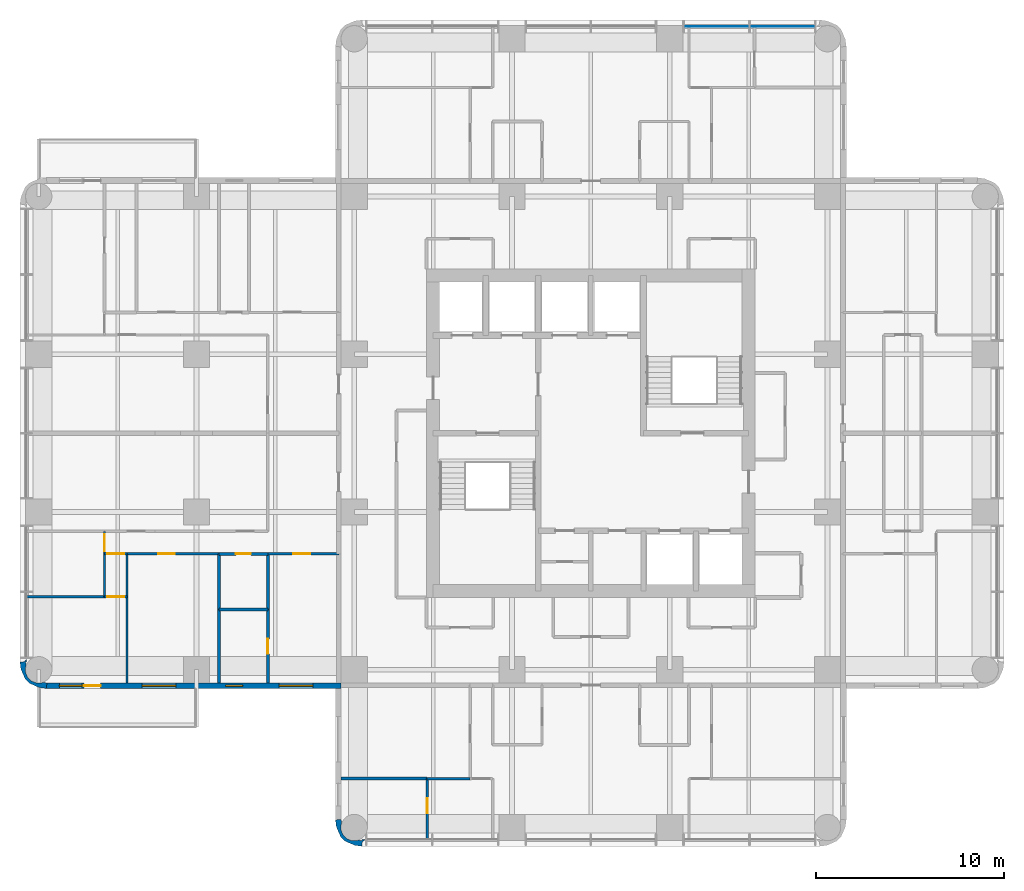
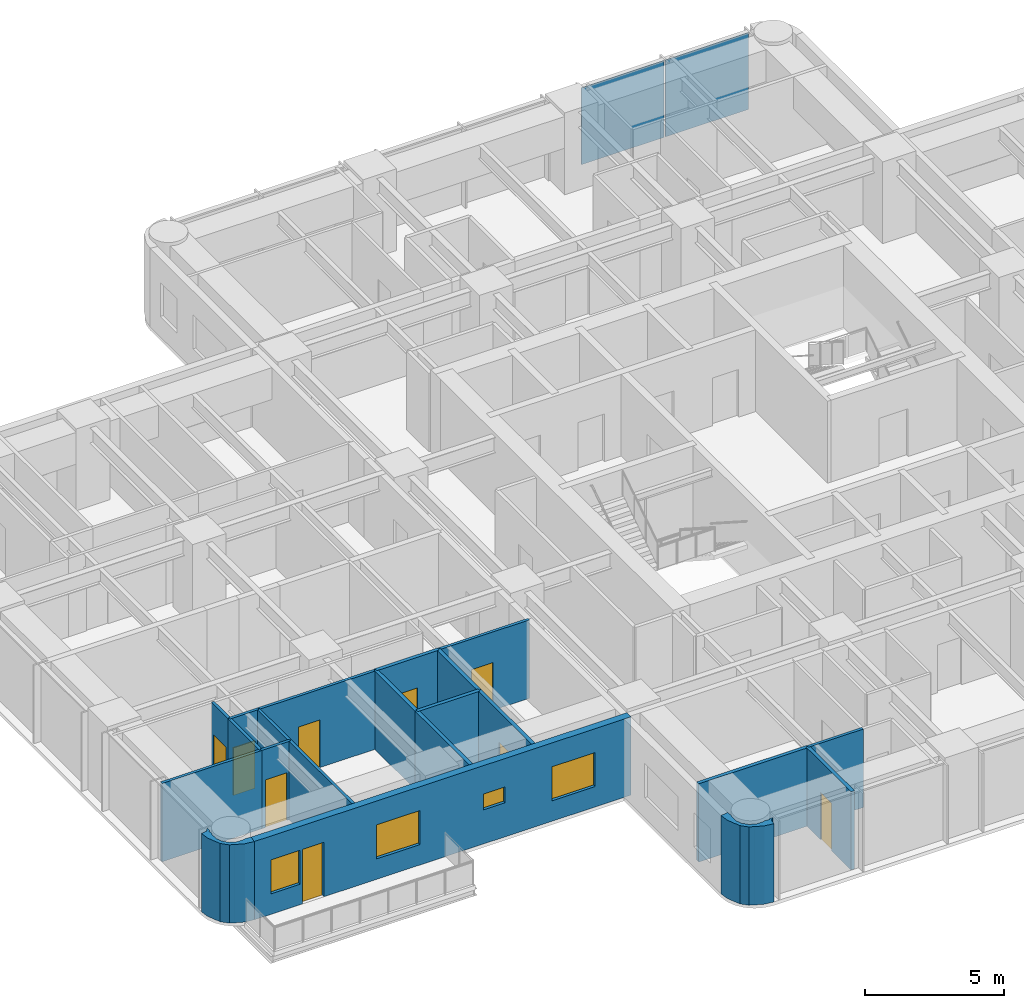
# One storey, part 4 of 11: 21 walls, 9 doors, 4 windows, 2 plates, 13 openings, 1 element without a shape of its own.
"""IFC4 building model written with IfcOpenShell, lengths in metres."""

from ifc_helpers import new_model, si_unit, direction, frame, frame_2d, origin, origin_2d, place, context, subcontext, project, spatial, polyline, rectangle, outline, extrude, material, layer, layer_set, type_object, element, fill, aggregate, save


model = new_model("IFC4")

# Units and contexts
model_context = context("Model", 3, precision=1e-05, world=origin(), true_north=direction((0.0, 1.0)))
body_context = subcontext(model_context, "Body", "Model", "MODEL_VIEW")
ifc_project = project(units=[si_unit("LENGTHUNIT", "METRE"), si_unit("AREAUNIT", "SQUARE_METRE"), si_unit("VOLUMEUNIT", "CUBIC_METRE"), si_unit("PLANEANGLEUNIT", "RADIAN"), si_unit("MASSUNIT", "GRAM", prefix="KILO")], contexts=[model_context])

# Site, building, storey
site_placement = place(None, origin())
site = spatial("IfcSite", under=ifc_project, at=site_placement, CompositionType="ELEMENT")
building_placement = place(site_placement, origin())
building = spatial("IfcBuilding", under=site, at=building_placement, Name="Torre Alcanfor", CompositionType="ELEMENT")
storey_placement = place(building_placement, frame((0.0, 0.0, 190.5)))
storey = spatial("IfcBuildingStorey", under=building, at=storey_placement, Name="L49", CompositionType="ELEMENT", Elevation=190.5)

# Curtain wall, plates
ifc_material_1 = material(Name="Aluminium and glass", Category="aluminium")
curtain_wall_type = type_object("IfcCurtainWallType", Name="CW-A unitised apartment glazing with vertical FIN", PredefinedType="NOTDEFINED", material=ifc_material_1)
curtain_wall_placement = place(storey_placement, origin())
curtain_wall = element("IfcCurtainWall", 1, at=curtain_wall_placement, inside=storey, type_object=curtain_wall_type, Name="Curtain wall CW-A L49 11", PredefinedType="NOTDEFINED")
ifc_material_2 = material(Name="Glass", Category="glass")
ifc_layer_1 = layer(ifc_material_2, 0.028076171875)
ifc_layer_set_1 = layer_set([ifc_layer_1], Name="CW-A clear double glazed unit")
plate_type = type_object("IfcPlateType", Name="CW-A clear double glazed unit", PredefinedType="CURTAIN_PANEL", material=ifc_layer_set_1)
plate_1_placement = place(storey_placement, frame((39.60107421875, 51.050048828125, 0.0), z_axis=(0.0, 0.0, 1.0), x_axis=(-1.0, 0.0, 0.0)))
plate_1 = element("IfcPlate", 2, at=plate_1_placement, type_object=plate_type, Name="CW-A panel 1.1.1", PredefinedType="CURTAIN_PANEL", context=body_context, shape_type="SweptSolid", body=[
    extrude(rectangle(XDim=3.444091796875, YDim=0.028076171875, at=origin_2d()), origin(), (0.0, 0.0, 1.0), 3.385009765625),
])
plate_2_placement = place(storey_placement, frame((36.092041015625, 51.050048828125, 0.0), z_axis=(0.0, 0.0, 1.0), x_axis=(-1.0, 0.0, 0.0)))
plate_2 = element("IfcPlate", 3, at=plate_2_placement, type_object=plate_type, Name="CW-A panel 1.2.1", PredefinedType="CURTAIN_PANEL", context=body_context, shape_type="SweptSolid", body=[
    extrude(rectangle(XDim=3.444091796875, YDim=0.028076171875, at=origin_2d()), origin(), (0.0, 0.0, 1.0), 3.385009765625),
])
aggregate(curtain_wall, [plate_1, plate_2])

# Wall
ifc_material_3 = material(Name="Gypsum board on steel studs", Category="steel")
ifc_layer_2 = layer(ifc_material_3, 0.1201171875)
ifc_layer_set_2 = layer_set([ifc_layer_2], Name="Apartment partition 120")
wall_type_1 = type_object("IfcWallType", Name="Apartment partition 120", PredefinedType="PARTITIONING", material=ifc_layer_set_2)
wall_1_placement = place(storey_placement, frame((20.68603515625, 11.0, 0.0), z_axis=(0.0, 0.0, 1.0), x_axis=(1.0, 0.0, 0.0)))
element("IfcWall", 4, at=wall_1_placement, inside=storey, type_object=wall_type_1, Name="Partition L49-SX-BED3 / L49-SX-BED1", PredefinedType="PARTITIONING", context=body_context, shape_type="SweptSolid", body=[
    extrude(rectangle(XDim=2.284912109375, YDim=0.1201171875, at=frame_2d((1.142578125, 0.0))), origin(), (0.0, 0.0, 1.0), 3.449951171875),
])

# Wall, opening, door
wall_2_placement = place(storey_placement, frame((12.199951171875, 22.970947265625, 0.0), z_axis=(0.0, 0.0, 1.0), x_axis=(1.0, 0.0, 0.0)))
wall_2 = element("IfcWall", 5, at=wall_2_placement, inside=storey, type_object=wall_type_1, Name="Partition L49-W1-HALL / L49-W1-SERV", PredefinedType="PARTITIONING", context=body_context, shape_type="SweptSolid", body=[
    extrude(rectangle(XDim=3.775146484375, YDim=0.1201171875, at=frame_2d((1.8876953125, 0.0))), origin(), (0.0, 0.0, 1.0), 3.449951171875),
])
opening_1_placement = place(wall_2_placement, frame((1.35009765625, 0.0, 0.0)))
opening_1 = element("IfcOpeningElement", 6, at=opening_1_placement, cuts=wall_2, Name="Opening D-R1", PredefinedType="OPENING", context=body_context, shape_type="SweptSolid", body=[
    extrude(rectangle(XDim=0.89990234375, YDim=2.10009765625, at=frame_2d((0.449951171875, 1.050048828125))), frame((0.0, 0.070068359375, 0.0), z_axis=(0.0, -1.0, 0.0), x_axis=(1.0, 0.0, 0.0)), (0.0, 0.0, 1.0), 0.14013671875),
])
ifc_material_4 = material(Name="Timber", Category="wood")
door_type_1 = type_object("IfcDoorType", Name="Internal door 900x2100", OperationType="SINGLE_SWING_LEFT", PredefinedType="DOOR", material=ifc_material_4)
door_1_placement = place(opening_1_placement, frame((0.89990234375, 0.0, 0.0), z_axis=(0.0, 0.0, 1.0), x_axis=(-1.0, 0.0, 0.0)))
door_1 = element("IfcDoor", 7, at=door_1_placement, inside=storey, type_object=door_type_1, Name="Door L49-W1 serv", OperationType="SINGLE_SWING_RIGHT", OverallHeight=2.10009765625, OverallWidth=0.89990234375, PredefinedType="DOOR", context=body_context, shape_type="SweptSolid", body=[
    extrude(rectangle(XDim=0.89990234375, YDim=2.10009765625, at=frame_2d((0.449951171875, 1.050048828125))), frame((0.0, 0.025146484375, 0.0), z_axis=(0.0, -1.0, 0.0), x_axis=(1.0, 0.0, 0.0)), (0.0, 0.0, 1.0), 0.050048828125),
])
fill(opening_1, door_1)

wall_3_placement = place(storey_placement, frame((4.699951171875, 22.970947265625, 0.0), z_axis=(0.0, 0.0, 1.0), x_axis=(1.0, 0.0, 0.0)))
wall_3 = element("IfcWall", 8, at=wall_3_placement, inside=storey, type_object=wall_type_1, Name="Partition L49-W1-HALL / L49-W1-BED3", PredefinedType="PARTITIONING", context=body_context, shape_type="SweptSolid", body=[
    extrude(rectangle(XDim=4.900146484375, YDim=0.1201171875, at=frame_2d((2.4501953125, 0.0))), origin(), (0.0, 0.0, 1.0), 3.449951171875),
])
opening_2_placement = place(wall_3_placement, frame((1.64990234375, 0.0, 0.0)))
opening_2 = element("IfcOpeningElement", 9, at=opening_2_placement, cuts=wall_3, Name="Opening D-R1", PredefinedType="OPENING", context=body_context, shape_type="SweptSolid", body=[
    extrude(rectangle(XDim=0.89990234375, YDim=2.10009765625, at=frame_2d((0.449951171875, 1.050048828125))), frame((0.0, 0.070068359375, 0.0), z_axis=(0.0, -1.0, 0.0), x_axis=(1.0, 0.0, 0.0)), (0.0, 0.0, 1.0), 0.14013671875),
])
door_2_placement = place(opening_2_placement, frame((0.89990234375, 0.0, 0.0), z_axis=(0.0, 0.0, 1.0), x_axis=(-1.0, 0.0, 0.0)))
door_2 = element("IfcDoor", 10, at=door_2_placement, inside=storey, type_object=door_type_1, Name="Door L49-W1 bed3", OperationType="SINGLE_SWING_RIGHT", OverallHeight=2.10009765625, OverallWidth=0.89990234375, PredefinedType="DOOR", context=body_context, shape_type="SweptSolid", body=[
    extrude(rectangle(XDim=0.89990234375, YDim=2.10009765625, at=frame_2d((0.449951171875, 1.050048828125))), frame((0.0, 0.025146484375, 0.0), z_axis=(0.0, -1.0, 0.0), x_axis=(1.0, 0.0, 0.0)), (0.0, 0.0, 1.0), 0.050048828125),
])
fill(opening_2, door_2)

wall_4_placement = place(storey_placement, frame((3.5, 22.970947265625, 0.0), z_axis=(0.0, 0.0, 1.0), x_axis=(1.0, 0.0, 0.0)))
wall_4 = element("IfcWall", 11, at=wall_4_placement, inside=storey, type_object=wall_type_1, Name="Partition L49-W1-HALL / L49-W1-VEST", PredefinedType="PARTITIONING", context=body_context, shape_type="SweptSolid", body=[
    extrude(rectangle(XDim=1.199951171875, YDim=0.1201171875, at=frame_2d((0.60009765625, 0.0))), origin(), (0.0, 0.0, 1.0), 3.449951171875),
])
opening_3_placement = place(wall_4_placement, frame((0.14990234375, 0.0, 0.0)))
opening_3 = element("IfcOpeningElement", 12, at=opening_3_placement, cuts=wall_4, Name="Opening D-R1", PredefinedType="OPENING", context=body_context, shape_type="SweptSolid", body=[
    extrude(rectangle(XDim=0.89990234375, YDim=2.10009765625, at=frame_2d((0.449951171875, 1.050048828125))), frame((0.0, 0.070068359375, 0.0), z_axis=(0.0, -1.0, 0.0), x_axis=(1.0, 0.0, 0.0)), (0.0, 0.0, 1.0), 0.14013671875),
])
door_3_placement = place(opening_3_placement, frame((0.89990234375, 0.0, 0.0), z_axis=(0.0, 0.0, 1.0), x_axis=(-1.0, 0.0, 0.0)))
door_3 = element("IfcDoor", 13, at=door_3_placement, inside=storey, type_object=door_type_1, Name="Door L49-W1 vest", OperationType="SINGLE_SWING_RIGHT", OverallHeight=2.10009765625, OverallWidth=0.89990234375, PredefinedType="DOOR", context=body_context, shape_type="SweptSolid", body=[
    extrude(rectangle(XDim=0.89990234375, YDim=2.10009765625, at=frame_2d((0.449951171875, 1.050048828125))), frame((0.0, 0.025146484375, 0.0), z_axis=(0.0, -1.0, 0.0), x_axis=(1.0, 0.0, 0.0)), (0.0, 0.0, 1.0), 0.050048828125),
])
fill(opening_3, door_3)

wall_5_placement = place(storey_placement, frame((3.5, 24.1708984375, 0.0), z_axis=(0.0, 0.0, 1.0), x_axis=(0.0, -1.0, 0.0)))
wall_5 = element("IfcWall", 14, at=wall_5_placement, inside=storey, type_object=wall_type_1, Name="Partition L49-W1-HALL / L49-W1-BED2", PredefinedType="PARTITIONING", context=body_context, shape_type="SweptSolid", body=[
    extrude(rectangle(XDim=1.199951171875, YDim=0.1201171875, at=frame_2d((0.60009765625, 0.0))), origin(), (0.0, 0.0, 1.0), 3.449951171875),
])
opening_4_placement = place(wall_5_placement, frame((0.15087890625, 0.0, 0.0)))
opening_4 = element("IfcOpeningElement", 15, at=opening_4_placement, cuts=wall_5, Name="Opening D-R1", PredefinedType="OPENING", context=body_context, shape_type="SweptSolid", body=[
    extrude(rectangle(XDim=0.89990234375, YDim=2.10009765625, at=frame_2d((0.449951171875, 1.050048828125))), frame((0.0, 0.070068359375, 0.0), z_axis=(0.0, -1.0, 0.0), x_axis=(1.0, 0.0, 0.0)), (0.0, 0.0, 1.0), 0.14013671875),
])
door_4_placement = place(opening_4_placement, frame((0.89990234375, 0.0, 0.0), z_axis=(0.0, 0.0, 1.0), x_axis=(-1.0, 0.0, 0.0)))
door_4 = element("IfcDoor", 16, at=door_4_placement, inside=storey, type_object=door_type_1, Name="Door L49-W1 bed2", OperationType="SINGLE_SWING_RIGHT", OverallHeight=2.10009765625, OverallWidth=0.89990234375, PredefinedType="DOOR", context=body_context, shape_type="SweptSolid", body=[
    extrude(rectangle(XDim=0.89990234375, YDim=2.10009765625, at=frame_2d((0.449951171875, 1.050048828125))), frame((0.0, 0.025146484375, 0.0), z_axis=(0.0, -1.0, 0.0), x_axis=(1.0, 0.0, 0.0)), (0.0, 0.0, 1.0), 0.050048828125),
])
fill(opening_4, door_4)

# Walls
wall_6_placement = place(storey_placement, frame((4.699951171875, 22.970947265625, 0.0), z_axis=(0.0, 0.0, 1.0), x_axis=(0.0, -1.0, 0.0)))
element("IfcWall", 17, at=wall_6_placement, inside=storey, type_object=wall_type_1, Name="Partition L49-W1-BED3 / L49-W1-VEST", PredefinedType="PARTITIONING", context=body_context, shape_type="SweptSolid", body=[
    extrude(rectangle(XDim=2.284912109375, YDim=0.1201171875, at=frame_2d((1.142578125, 0.0))), origin(), (0.0, 0.0, 1.0), 3.449951171875),
])
wall_7_placement = place(storey_placement, frame((4.699951171875, 20.68603515625, 0.0), z_axis=(0.0, 0.0, 1.0), x_axis=(0.0, -1.0, 0.0)))
element("IfcWall", 18, at=wall_7_placement, inside=storey, type_object=wall_type_1, Name="Partition L49-W1-BED3 / L49-W1-MASTER", PredefinedType="PARTITIONING", context=body_context, shape_type="SweptSolid", body=[
    extrude(rectangle(XDim=4.5859375, YDim=0.1201171875, at=frame_2d((2.29296875, 0.0))), origin(), (0.0, 0.0, 1.0), 3.449951171875),
])
wall_8_placement = place(storey_placement, frame((3.5, 22.970947265625, 0.0), z_axis=(0.0, 0.0, 1.0), x_axis=(0.0, -1.0, 0.0)))
element("IfcWall", 19, at=wall_8_placement, inside=storey, type_object=wall_type_1, Name="Partition L49-W1-VEST / L49-W1-BED2", PredefinedType="PARTITIONING", context=body_context, shape_type="SweptSolid", body=[
    extrude(rectangle(XDim=2.284912109375, YDim=0.1201171875, at=frame_2d((1.142578125, 0.0))), origin(), (0.0, 0.0, 1.0), 3.449951171875),
])

# Wall, opening, door
wall_9_placement = place(storey_placement, frame((3.5, 20.68603515625, 0.0), z_axis=(0.0, 0.0, 1.0), x_axis=(1.0, 0.0, 0.0)))
wall_9 = element("IfcWall", 20, at=wall_9_placement, inside=storey, type_object=wall_type_1, Name="Partition L49-W1-VEST / L49-W1-MASTER", PredefinedType="PARTITIONING", context=body_context, shape_type="SweptSolid", body=[
    extrude(rectangle(XDim=1.199951171875, YDim=0.1201171875, at=frame_2d((0.60009765625, 0.0))), origin(), (0.0, 0.0, 1.0), 3.449951171875),
])
opening_5_placement = place(wall_9_placement, frame((0.14990234375, 0.0, 0.0)))
opening_5 = element("IfcOpeningElement", 21, at=opening_5_placement, cuts=wall_9, Name="Opening D-R1", PredefinedType="OPENING", context=body_context, shape_type="SweptSolid", body=[
    extrude(rectangle(XDim=0.89990234375, YDim=2.10009765625, at=frame_2d((0.449951171875, 1.050048828125))), frame((0.0, 0.070068359375, 0.0), z_axis=(0.0, -1.0, 0.0), x_axis=(1.0, 0.0, 0.0)), (0.0, 0.0, 1.0), 0.14013671875),
])
door_5_placement = place(opening_5_placement, origin())
door_5 = element("IfcDoor", 22, at=door_5_placement, inside=storey, type_object=door_type_1, Name="Door L49-W1 master", OperationType="SINGLE_SWING_LEFT", OverallHeight=2.10009765625, OverallWidth=0.89990234375, PredefinedType="DOOR", context=body_context, shape_type="SweptSolid", body=[
    extrude(rectangle(XDim=0.89990234375, YDim=2.10009765625, at=frame_2d((0.449951171875, 1.050048828125))), frame((0.0, 0.02490234375, 0.0), z_axis=(0.0, -1.0, 0.0), x_axis=(1.0, 0.0, 0.0)), (0.0, 0.0, 1.0), 0.050048828125),
])
fill(opening_5, door_5)

# Wall
wall_10_placement = place(storey_placement, frame((-0.64990234375, 20.68603515625, 0.0), z_axis=(0.0, 0.0, 1.0), x_axis=(1.0, 0.0, 0.0)))
element("IfcWall", 23, at=wall_10_placement, inside=storey, type_object=wall_type_1, Name="Partition L49-W1-BED2 / L49-W1-MASTER", PredefinedType="PARTITIONING", context=body_context, shape_type="SweptSolid", body=[
    extrude(rectangle(XDim=4.14990234375, YDim=0.1201171875, at=frame_2d((2.074951171875, 0.0))), origin(), (0.0, 0.0, 1.0), 3.449951171875),
])

# Wall, openings, door, windows
ifc_material_5 = material(Name="Limestone cladding", Category="masonry")
ifc_layer_3 = layer(ifc_material_5, 0.0400390625, Name="Facing")
ifc_material_6 = material(Name="Ventilated air cavity")
ifc_layer_4 = layer(ifc_material_6, 0.02001953125, ventilated=True, Name="Ventilated joint")
ifc_material_7 = material(Name="Mineral wool insulation", Category="insulation")
ifc_layer_5 = layer(ifc_material_7, 0.10009765625, Name="Insulation")
ifc_material_8 = material(Name="Concrete f'c 35 MPa", Category="concrete")
ifc_layer_6 = layer(ifc_material_8, 0.139892578125, Name="Backing")
ifc_layer_set_3 = layer_set([ifc_layer_3, ifc_layer_4, ifc_layer_5, ifc_layer_6], Name="External wall stone-clad 300")
wall_type_2 = type_object("IfcWallType", Name="External wall stone-clad 300", PredefinedType="SOLIDWALL", material=ifc_layer_set_3)
wall_11_placement = place(storey_placement, frame((0.39990234375, 15.949951171875, 0.0), z_axis=(0.0, 0.0, 1.0), x_axis=(1.0, 0.0, 0.0)))
wall_11 = element("IfcWall", 24, at=wall_11_placement, inside=storey, type_object=wall_type_2, Name="External wall L49 3", PredefinedType="SOLIDWALL", context=body_context, shape_type="SweptSolid", body=[
    extrude(rectangle(XDim=15.7001953125, YDim=0.300048828125, at=frame_2d((7.85009765625, 0.0))), origin(), (0.0, 0.0, 1.0), 3.449951171875),
])
opening_6_placement = place(wall_11_placement, frame((12.39990234375, 0.0, 0.89990234375)))
opening_6 = element("IfcOpeningElement", 25, at=opening_6_placement, cuts=wall_11, Name="Opening W2", PredefinedType="OPENING", context=body_context, shape_type="SweptSolid", body=[
    extrude(rectangle(XDim=1.800048828125, YDim=1.5, at=frame_2d((0.89990234375, 0.75))), frame((0.0, 0.159912109375, 0.0), z_axis=(0.0, -1.0, 0.0), x_axis=(1.0, 0.0, 0.0)), (0.0, 0.0, 1.0), 0.320068359375),
])
opening_7_placement = place(wall_11_placement, frame((9.550048828125, 0.0, 1.5)))
opening_7 = element("IfcOpeningElement", 26, at=opening_7_placement, cuts=wall_11, Name="Opening W3", PredefinedType="OPENING", context=body_context, shape_type="SweptSolid", body=[
    extrude(rectangle(XDim=0.89990234375, YDim=0.699951171875, at=frame_2d((0.449951171875, 0.35009765625))), frame((0.0, 0.159912109375, 0.0), z_axis=(0.0, -1.0, 0.0), x_axis=(1.0, 0.0, 0.0)), (0.0, 0.0, 1.0), 0.320068359375),
])
opening_8_placement = place(wall_11_placement, frame((5.10009765625, 0.0, 0.89990234375)))
opening_8 = element("IfcOpeningElement", 27, at=opening_8_placement, cuts=wall_11, Name="Opening W2", PredefinedType="OPENING", context=body_context, shape_type="SweptSolid", body=[
    extrude(rectangle(XDim=1.800048828125, YDim=1.5, at=frame_2d((0.89990234375, 0.75))), frame((0.0, 0.159912109375, 0.0), z_axis=(0.0, -1.0, 0.0), x_axis=(1.0, 0.0, 0.0)), (0.0, 0.0, 1.0), 0.320068359375),
])
opening_9_placement = place(wall_11_placement, frame((2.0, 0.0, 0.0)))
opening_9 = element("IfcOpeningElement", 28, at=opening_9_placement, cuts=wall_11, Name="Opening D-B1", PredefinedType="OPENING", context=body_context, shape_type="SweptSolid", body=[
    extrude(rectangle(XDim=0.89990234375, YDim=2.39990234375, at=frame_2d((0.449951171875, 1.199951171875))), frame((0.0, 0.159912109375, 0.0), z_axis=(0.0, -1.0, 0.0), x_axis=(1.0, 0.0, 0.0)), (0.0, 0.0, 1.0), 0.320068359375),
])
opening_10_placement = place(wall_11_placement, frame((0.699951171875, 0.0, 0.89990234375)))
opening_10 = element("IfcOpeningElement", 29, at=opening_10_placement, cuts=wall_11, Name="Opening W4", PredefinedType="OPENING", context=body_context, shape_type="SweptSolid", body=[
    extrude(rectangle(XDim=1.199951171875, YDim=1.5, at=frame_2d((0.60009765625, 0.75))), frame((0.0, 0.159912109375, 0.0), z_axis=(0.0, -1.0, 0.0), x_axis=(1.0, 0.0, 0.0)), (0.0, 0.0, 1.0), 0.320068359375),
])
ifc_material_9 = material(Name="Aluminium and glass", Category="aluminium")
door_type_2 = type_object("IfcDoorType", Name="Balcony door glazed 900x2400", OperationType="SINGLE_SWING_LEFT", PredefinedType="DOOR", material=ifc_material_9)
door_6_placement = place(opening_9_placement, origin())
door_6 = element("IfcDoor", 30, at=door_6_placement, inside=storey, type_object=door_type_2, Name="Balcony door L49-W1", OperationType="SINGLE_SWING_RIGHT", OverallHeight=2.39990234375, OverallWidth=0.89990234375, PredefinedType="DOOR", context=body_context, shape_type="SweptSolid", body=[
    extrude(rectangle(XDim=0.89990234375, YDim=2.39990234375, at=frame_2d((0.449951171875, 1.199951171875))), frame((0.0, 0.02490234375, 0.0), z_axis=(0.0, -1.0, 0.0), x_axis=(1.0, 0.0, 0.0)), (0.0, 0.0, 1.0), 0.050048828125),
])
fill(opening_9, door_6)
ifc_material_10 = material(Name="Aluminium frame with clear double glazing", Category="aluminium")
window_type_1 = type_object("IfcWindowType", Name="Window bathroom 900x700", PartitioningType="SINGLE_PANEL", PredefinedType="WINDOW", material=ifc_material_10)
window_1_placement = place(opening_7_placement, origin())
window_1 = element("IfcWindow", 31, at=window_1_placement, inside=storey, type_object=window_type_1, Name="Window W3 L49-W1", OverallHeight=0.699951171875, OverallWidth=0.89990234375, PartitioningType="SINGLE_PANEL", PredefinedType="WINDOW", context=body_context, shape_type="SweptSolid", body=[
    extrude(rectangle(XDim=0.89990234375, YDim=0.699951171875, at=frame_2d((0.449951171875, 0.35009765625))), frame((0.0, 0.030029296875, 0.0), z_axis=(0.0, -1.0, 0.0), x_axis=(1.0, 0.0, 0.0)), (0.0, 0.0, 1.0), 0.06005859375),
])
fill(opening_7, window_1)
ifc_material_11 = material(Name="Aluminium frame with clear double glazing", Category="aluminium")
window_type_2 = type_object("IfcWindowType", Name="Window bedroom 1200x1500", PartitioningType="SINGLE_PANEL", PredefinedType="WINDOW", material=ifc_material_11)
window_2_placement = place(opening_10_placement, origin())
window_2 = element("IfcWindow", 32, at=window_2_placement, inside=storey, type_object=window_type_2, Name="Window W4 L49-W1", OverallHeight=1.5, OverallWidth=1.199951171875, PartitioningType="SINGLE_PANEL", PredefinedType="WINDOW", context=body_context, shape_type="SweptSolid", body=[
    extrude(rectangle(XDim=1.199951171875, YDim=1.5, at=frame_2d((0.60009765625, 0.75))), frame((0.0, 0.030029296875, 0.0), z_axis=(0.0, -1.0, 0.0), x_axis=(1.0, 0.0, 0.0)), (0.0, 0.0, 1.0), 0.06005859375),
])
fill(opening_10, window_2)
ifc_material_12 = material(Name="Aluminium frame with clear double glazing", Category="aluminium")
window_type_3 = type_object("IfcWindowType", Name="Window bedroom 1800x1500", PartitioningType="SINGLE_PANEL", PredefinedType="WINDOW", material=ifc_material_12)
window_3_placement = place(opening_6_placement, origin())
window_3 = element("IfcWindow", 33, at=window_3_placement, inside=storey, type_object=window_type_3, Name="Window W2 L49-W1", OverallHeight=1.5, OverallWidth=1.800048828125, PartitioningType="SINGLE_PANEL", PredefinedType="WINDOW", context=body_context, shape_type="SweptSolid", body=[
    extrude(rectangle(XDim=1.800048828125, YDim=1.5, at=frame_2d((0.89990234375, 0.75))), frame((0.0, 0.030029296875, 0.0), z_axis=(0.0, -1.0, 0.0), x_axis=(1.0, 0.0, 0.0)), (0.0, 0.0, 1.0), 0.06005859375),
])
fill(opening_6, window_3)
window_4_placement = place(opening_8_placement, origin())
window_4 = element("IfcWindow", 34, at=window_4_placement, inside=storey, type_object=window_type_3, Name="Window W2 L49-W1", OverallHeight=1.5, OverallWidth=1.800048828125, PartitioningType="SINGLE_PANEL", PredefinedType="WINDOW", context=body_context, shape_type="SweptSolid", body=[
    extrude(rectangle(XDim=1.800048828125, YDim=1.5, at=frame_2d((0.89990234375, 0.75))), frame((0.0, 0.030029296875, 0.0), z_axis=(0.0, -1.0, 0.0), x_axis=(1.0, 0.0, 0.0)), (0.0, 0.0, 1.0), 0.06005859375),
])
fill(opening_8, window_4)

# Walls
ifc_layer_7 = layer(ifc_material_5, 0.0400390625, Name="Facing")
ifc_layer_8 = layer(ifc_material_6, 0.02001953125, ventilated=True, Name="Ventilated joint")
ifc_layer_9 = layer(ifc_material_7, 0.10009765625, Name="Insulation")
ifc_layer_10 = layer(ifc_material_8, 0.139892578125, Name="Backing")
ifc_layer_set_4 = layer_set([ifc_layer_7, ifc_layer_8, ifc_layer_9, ifc_layer_10], Name="Rounded corner pier stone-clad 300")
wall_type_3 = type_object("IfcWallType", Name="Rounded corner pier stone-clad 300", PredefinedType="SOLIDWALL", material=ifc_layer_set_4)
wall_12_placement = place(storey_placement, frame((-0.58815184, 17.312325495, 0.0), z_axis=(0.0, 0.0, 1.0), x_axis=(-0.898030234854, -0.439933741929, 0.0)))
element("IfcWall", 35, at=wall_12_placement, inside=storey, type_object=wall_type_3, Name="Corner pier L49 14", PredefinedType="SOLIDWALL", context=body_context, shape_type="SweptSolid", body=[
    extrude(outline(polyline([(-0.22200099779214466, 1.7927485446039917), (-0.3895203988851006, 1.5406953482066268), (-0.3717615001977944, 1.5319954866108696), (-0.1946893371505769, 1.4145296087243977), (-0.1196378565013686, 1.4095707271395082), (0.13074069042336733, 1.2869134192092004), (0.31532782000916126, 1.0776826467218847), (0.4055826710323692, 0.8140749979758074), (0.38797260783771476, 0.5356152877148042), (0.26531529990740693, 0.28523674079006817), (0.2089410932617622, 0.23564484500123395), (0.1476439801012907, 0.052805298357783616), (0.1048910758540722, 0.07374940960682917), (0.03174779503048235, -0.07555688676422617), (0.13758283616273645, -0.03932073839803114), (0.18192415361672865, -0.0004176855725517292), (0.4192893563182328, -0.08027036234769044), (0.5359265089611867, 0.2660343125058281), (0.55884082549336, 0.63079452952945), (0.5546362328412097, 0.6510690852705474), (0.5662389797265355, 0.8356887018617073), (0.45562482097298596, 1.1592927954286232), (0.3331931039366845, 1.297838781078767), (0.32408874086174466, 1.3164357373584665), (0.08241545456328281, 1.5906055834666009), (-0.22200099779214466, 1.7927485446039917)])), origin(), (0.0, 0.0, 1.0), 3.449951171875),
])
wall_13_placement = place(storey_placement, frame((16.075788181, 8.689684728, 0.0), z_axis=(0.0, 0.0, 1.0), x_axis=(-0.439933741929, -0.898030234854, 0.0)))
element("IfcWall", 36, at=wall_13_placement, inside=storey, type_object=wall_type_3, Name="Corner pier L49 15", PredefinedType="SOLIDWALL", context=body_context, shape_type="SweptSolid", body=[
    extrude(outline(polyline([(0.6637063463257242, 1.5769511452868783), (0.42612189796141386, 1.4969910628130267), (0.381999826170228, 1.536001521337219), (0.2761647850379738, 1.5722376697034142), (0.3493080658615637, 1.4229313733323588), (0.391841724445976, 1.4437680788826912), (0.45335808326925375, 1.261035937937954), (0.5097322899148984, 1.2114440421491197), (0.6323895978452062, 0.9610654952243838), (0.6499996610398608, 0.6826057849633805), (0.5595255643538466, 0.4188907305185901), (0.37515768043085884, 0.20976736372998736), (0.1247791335061229, 0.08711005579967954), (0.04972765285691469, 0.0821511742147902), (-0.1273445101903028, -0.035314703671681595), (-0.14532265454041515, -0.04412197096615204), (0.02219674655254064, -0.2961751673635169), (0.3266131989079681, -0.09403220622612604), (0.56828648520643, 0.18013763988200826), (0.5776100939441761, 0.19884200186042086), (0.6998225653176713, 0.33728058181185155), (0.810655969734027, 0.6609920810774806), (0.7990532228487013, 0.8456116976686404), (0.8030385698380452, 0.8657788477110249), (0.7801242533058719, 1.2305390647346468), (0.6637063463257242, 1.5769511452868783)])), origin(), (0.0, 0.0, 1.0), 3.449951171875),
])
ifc_material_13 = material(Name="Cement board on steel studs", Category="steel")
ifc_layer_11 = layer(ifc_material_13, 0.14990234375)
ifc_layer_set_5 = layer_set([ifc_layer_11], Name="Wet area partition 150")
wall_type_4 = type_object("IfcWallType", Name="Wet area partition 150", PredefinedType="PARTITIONING", material=ifc_layer_set_5)
wall_14_placement = place(storey_placement, frame((16.10009765625, 11.0, 0.0), z_axis=(0.0, 0.0, 1.0), x_axis=(1.0, 0.0, 0.0)))
element("IfcWall", 37, at=wall_14_placement, inside=storey, type_object=wall_type_4, Name="Partition L49-SX-BED3 / L49-SX-BATH1", PredefinedType="PARTITIONING", context=body_context, shape_type="SweptSolid", body=[
    extrude(rectangle(XDim=4.5859375, YDim=0.14990234375, at=frame_2d((2.29296875, 0.0))), origin(), (0.0, 0.0, 1.0), 3.449951171875),
])

# Wall, opening, door
wall_15_placement = place(storey_placement, frame((20.68603515625, 7.75, 0.0), z_axis=(0.0, 0.0, 1.0), x_axis=(0.0, 1.0, 0.0)))
wall_15 = element("IfcWall", 38, at=wall_15_placement, inside=storey, type_object=wall_type_4, Name="Partition L49-SX-BATH1 / L49-SX-BED1", PredefinedType="PARTITIONING", context=body_context, shape_type="SweptSolid", body=[
    extrude(rectangle(XDim=3.25, YDim=0.14990234375, at=frame_2d((1.625, 0.0))), origin(), (0.0, 0.0, 1.0), 3.449951171875),
])
opening_11_placement = place(wall_15_placement, frame((1.39990234375, 0.0, 0.0)))
opening_11 = element("IfcOpeningElement", 39, at=opening_11_placement, cuts=wall_15, Name="Opening D-R2", PredefinedType="OPENING", context=body_context, shape_type="SweptSolid", body=[
    extrude(rectangle(XDim=0.800048828125, YDim=2.10009765625, at=frame_2d((0.39990234375, 1.050048828125))), frame((0.0, 0.0849609375, 0.0), z_axis=(0.0, -1.0, 0.0), x_axis=(1.0, 0.0, 0.0)), (0.0, 0.0, 1.0), 0.169921875),
])
ifc_material_14 = material(Name="Timber", Category="wood")
door_type_3 = type_object("IfcDoorType", Name="Bathroom door 800x2100", OperationType="SINGLE_SWING_LEFT", PredefinedType="DOOR", material=ifc_material_14)
door_7_placement = place(opening_11_placement, frame((0.800048828125, 0.0, 0.0), z_axis=(0.0, 0.0, 1.0), x_axis=(-1.0, 0.0, 0.0)))
door_7 = element("IfcDoor", 40, at=door_7_placement, inside=storey, type_object=door_type_3, Name="Door L49-SX bath1", OperationType="SINGLE_SWING_LEFT", OverallHeight=2.10009765625, OverallWidth=0.800048828125, PredefinedType="DOOR", context=body_context, shape_type="SweptSolid", body=[
    extrude(rectangle(XDim=0.800048828125, YDim=2.10009765625, at=frame_2d((0.400146484375, 1.050048828125))), frame((0.0, 0.025146484375, 0.0), z_axis=(0.0, -1.0, 0.0), x_axis=(1.0, 0.0, 0.0)), (0.0, 0.0, 1.0), 0.050048828125),
])
fill(opening_11, door_7)

wall_16_placement = place(storey_placement, frame((9.60009765625, 22.970947265625, 0.0), z_axis=(0.0, 0.0, 1.0), x_axis=(1.0, 0.0, 0.0)))
wall_16 = element("IfcWall", 41, at=wall_16_placement, inside=storey, type_object=wall_type_4, Name="Partition L49-W1-HALL / L49-W1-BATH1", PredefinedType="PARTITIONING", context=body_context, shape_type="SweptSolid", body=[
    extrude(rectangle(XDim=2.599853515625, YDim=0.14990234375, at=frame_2d((1.2998046875, 0.0))), origin(), (0.0, 0.0, 1.0), 3.449951171875),
])
opening_12_placement = place(wall_16_placement, frame((0.89990234375, 0.0, 0.0)))
opening_12 = element("IfcOpeningElement", 42, at=opening_12_placement, cuts=wall_16, Name="Opening D-R2", PredefinedType="OPENING", context=body_context, shape_type="SweptSolid", body=[
    extrude(rectangle(XDim=0.800048828125, YDim=2.10009765625, at=frame_2d((0.39990234375, 1.050048828125))), frame((0.0, 0.0849609375, 0.0), z_axis=(0.0, -1.0, 0.0), x_axis=(1.0, 0.0, 0.0)), (0.0, 0.0, 1.0), 0.169921875),
])
door_8_placement = place(opening_12_placement, frame((0.800048828125, 0.0, 0.0), z_axis=(0.0, 0.0, 1.0), x_axis=(-1.0, 0.0, 0.0)))
door_8 = element("IfcDoor", 43, at=door_8_placement, inside=storey, type_object=door_type_3, Name="Door L49-W1 bath1", OperationType="SINGLE_SWING_RIGHT", OverallHeight=2.10009765625, OverallWidth=0.800048828125, PredefinedType="DOOR", context=body_context, shape_type="SweptSolid", body=[
    extrude(rectangle(XDim=0.800048828125, YDim=2.10009765625, at=frame_2d((0.400146484375, 1.050048828125))), frame((0.0, 0.025146484375, 0.0), z_axis=(0.0, -1.0, 0.0), x_axis=(1.0, 0.0, 0.0)), (0.0, 0.0, 1.0), 0.050048828125),
])
fill(opening_12, door_8)

# Wall
wall_17_placement = place(storey_placement, frame((12.199951171875, 22.970947265625, 0.0), z_axis=(0.0, 0.0, 1.0), x_axis=(0.0, -1.0, 0.0)))
element("IfcWall", 44, at=wall_17_placement, inside=storey, type_object=wall_type_4, Name="Partition L49-W1-SERV / L49-W1-BATH1", PredefinedType="PARTITIONING", context=body_context, shape_type="SweptSolid", body=[
    extrude(rectangle(XDim=2.970947265625, YDim=0.14990234375, at=frame_2d((1.4853515625, 0.0))), origin(), (0.0, 0.0, 1.0), 3.449951171875),
])

# Wall, opening, door
wall_18_placement = place(storey_placement, frame((12.199951171875, 20.0, 0.0), z_axis=(0.0, 0.0, 1.0), x_axis=(0.0, -1.0, 0.0)))
wall_18 = element("IfcWall", 45, at=wall_18_placement, inside=storey, type_object=wall_type_4, Name="Partition L49-W1-SERV / L49-W1-SBATH", PredefinedType="PARTITIONING", context=body_context, shape_type="SweptSolid", body=[
    extrude(rectangle(XDim=3.89990234375, YDim=0.14990234375, at=frame_2d((1.949951171875, 0.0))), origin(), (0.0, 0.0, 1.0), 3.449951171875),
])
opening_13_placement = place(wall_18_placement, frame((1.550048828125, 0.0, 0.0)))
opening_13 = element("IfcOpeningElement", 46, at=opening_13_placement, cuts=wall_18, Name="Opening D-R2", PredefinedType="OPENING", context=body_context, shape_type="SweptSolid", body=[
    extrude(rectangle(XDim=0.800048828125, YDim=2.10009765625, at=frame_2d((0.39990234375, 1.050048828125))), frame((0.0, 0.0849609375, 0.0), z_axis=(0.0, -1.0, 0.0), x_axis=(1.0, 0.0, 0.0)), (0.0, 0.0, 1.0), 0.169921875),
])
door_9_placement = place(opening_13_placement, frame((0.800048828125, 0.0, 0.0), z_axis=(0.0, 0.0, 1.0), x_axis=(-1.0, 0.0, 0.0)))
door_9 = element("IfcDoor", 47, at=door_9_placement, inside=storey, type_object=door_type_3, Name="Door L49-W1 sbath", OperationType="SINGLE_SWING_RIGHT", OverallHeight=2.10009765625, OverallWidth=0.800048828125, PredefinedType="DOOR", context=body_context, shape_type="SweptSolid", body=[
    extrude(rectangle(XDim=0.800048828125, YDim=2.10009765625, at=frame_2d((0.400146484375, 1.050048828125))), frame((0.0, 0.025146484375, 0.0), z_axis=(0.0, -1.0, 0.0), x_axis=(1.0, 0.0, 0.0)), (0.0, 0.0, 1.0), 0.050048828125),
])
fill(opening_13, door_9)

# Walls
wall_19_placement = place(storey_placement, frame((9.60009765625, 20.0, 0.0), z_axis=(0.0, 0.0, 1.0), x_axis=(1.0, 0.0, 0.0)))
element("IfcWall", 48, at=wall_19_placement, inside=storey, type_object=wall_type_4, Name="Partition L49-W1-BATH1 / L49-W1-SBATH", PredefinedType="PARTITIONING", context=body_context, shape_type="SweptSolid", body=[
    extrude(rectangle(XDim=2.599853515625, YDim=0.14990234375, at=frame_2d((1.2998046875, 0.0))), origin(), (0.0, 0.0, 1.0), 3.449951171875),
])
wall_20_placement = place(storey_placement, frame((9.60009765625, 22.970947265625, 0.0), z_axis=(0.0, 0.0, 1.0), x_axis=(0.0, -1.0, 0.0)))
element("IfcWall", 49, at=wall_20_placement, inside=storey, type_object=wall_type_4, Name="Partition L49-W1-BATH1 / L49-W1-BED3", PredefinedType="PARTITIONING", context=body_context, shape_type="SweptSolid", body=[
    extrude(rectangle(XDim=2.970947265625, YDim=0.14990234375, at=frame_2d((1.4853515625, 0.0))), origin(), (0.0, 0.0, 1.0), 3.449951171875),
])
wall_21_placement = place(storey_placement, frame((9.60009765625, 20.0, 0.0), z_axis=(0.0, 0.0, 1.0), x_axis=(0.0, -1.0, 0.0)))
element("IfcWall", 50, at=wall_21_placement, inside=storey, type_object=wall_type_4, Name="Partition L49-W1-SBATH / L49-W1-BED3", PredefinedType="PARTITIONING", context=body_context, shape_type="SweptSolid", body=[
    extrude(rectangle(XDim=3.89990234375, YDim=0.14990234375, at=frame_2d((1.949951171875, 0.0))), origin(), (0.0, 0.0, 1.0), 3.449951171875),
])

save(model, "model.ifc")
